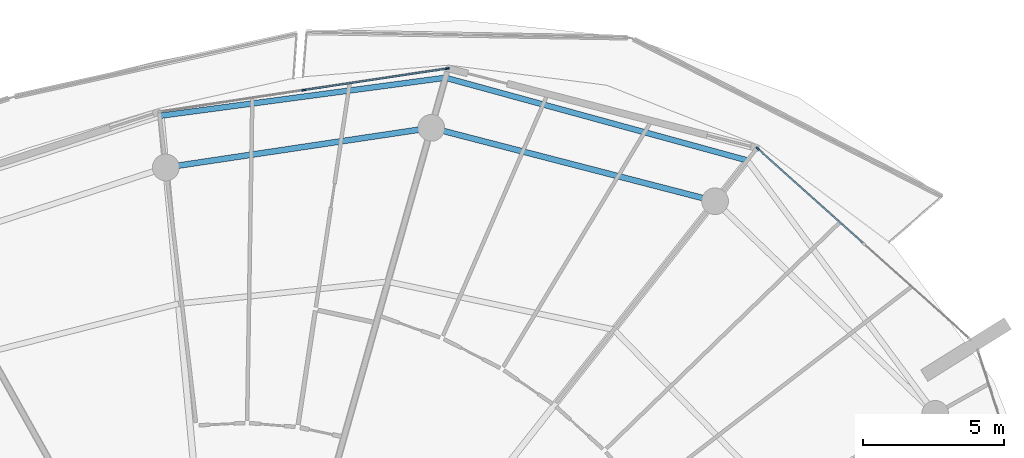
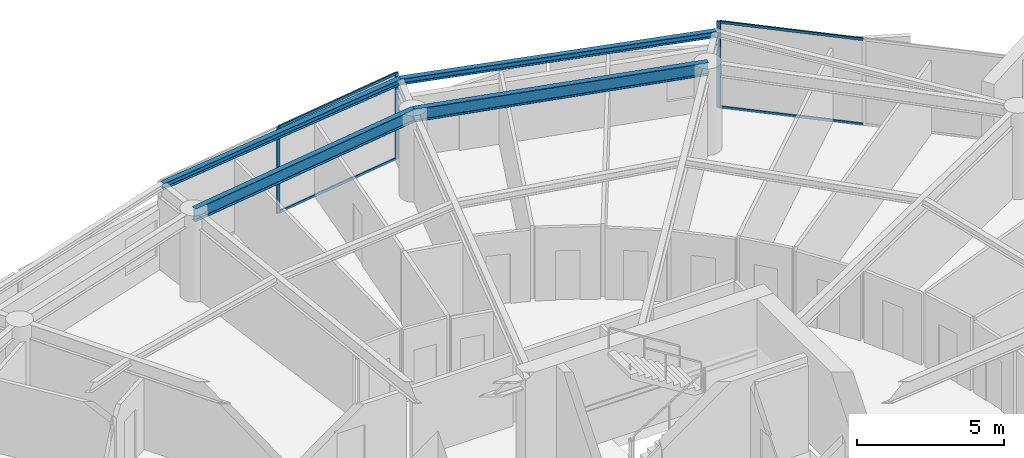
# One storey, part 16 of 30: 7 members, 4 beams, 2 elements without a shape of their own.
"""IFC4 building model written with IfcOpenShell, lengths in metres."""

from ifc_helpers import new_model, si_unit, direction, frame, origin, origin_2d, place, context, subcontext, project, spatial, rectangle, i_section, extrude, material, layer, layer_set, material_profile, profile_set, type_object, element, aggregate, save


model = new_model("IFC4")

# Units and contexts
model_context = context("Model", 3, precision=1e-05, world=origin(), true_north=direction((0.0, 1.0)))
body_context = subcontext(model_context, "Body", "Model", "MODEL_VIEW")
ifc_project = project(units=[si_unit("LENGTHUNIT", "METRE"), si_unit("AREAUNIT", "SQUARE_METRE"), si_unit("VOLUMEUNIT", "CUBIC_METRE"), si_unit("PLANEANGLEUNIT", "RADIAN"), si_unit("MASSUNIT", "GRAM", prefix="KILO")], contexts=[model_context])

# Site, building, storey
site_placement = place(None, origin())
site = spatial("IfcSite", under=ifc_project, at=site_placement, CompositionType="ELEMENT")
building_placement = place(site_placement, origin())
building = spatial("IfcBuilding", under=site, at=building_placement, Name="Kazma Halo Residences", CompositionType="ELEMENT")
storey_placement = place(building_placement, frame((0.0, 0.0, 236.699951171875)))
storey = spatial("IfcBuildingStorey", under=building, at=storey_placement, Name="L59", CompositionType="ELEMENT", Elevation=236.699951171875)

# Beams
ifc_material_1 = material(Name="Steel S355", Category="steel")
ifc_material_profile_1 = material_profile(ifc_material_1, i_section(OverallWidth=0.201904296875, OverallDepth=0.2470703125, WebThickness=0.00732421875, FlangeThickness=0.010986328125, FilletRadius=0.011962890625, at=origin_2d()), Name="W250x49.1")
ifc_profile_set_1 = profile_set([ifc_material_profile_1], Name="Steel S355")
beam_type_1 = type_object("IfcBeamType", Name="BM-BAL-CANT", PredefinedType="BEAM", material=ifc_profile_set_1)
beam_1_placement = place(storey_placement, frame((65.992431640625, 64.823486328125, 3.466552734375), z_axis=(-0.964514665976, 0.264029277006, 0.0), x_axis=(-0.264029277006, -0.964514665976, 0.0)))
element("IfcBeam", 1, at=beam_1_placement, inside=storey, type_object=beam_type_1, Name="L59 wave-balcony tie beam 02", PredefinedType="BEAM", context=body_context, shape_type="SweptSolid", body=[
    extrude(i_section(OverallWidth=0.201904296875, OverallDepth=0.2470703125, WebThickness=0.00732421875, FlangeThickness=0.010986328125, FilletRadius=0.011962890625, at=origin_2d()), origin(), (0.0, 0.0, 1.0), 11.1220703125),
])
beam_2_placement = place(storey_placement, frame((55.26513671875, 67.760009765625, 3.466552734375), z_axis=(-0.991234798397, -0.132111976922, 0.0), x_axis=(0.132111976922, -0.991234798397, 0.0)))
element("IfcBeam", 2, at=beam_2_placement, inside=storey, type_object=beam_type_1, Name="L59 wave-balcony tie beam 03", PredefinedType="BEAM", context=body_context, shape_type="SweptSolid", body=[
    extrude(i_section(OverallWidth=0.201904296875, OverallDepth=0.2470703125, WebThickness=0.00732421875, FlangeThickness=0.010986328125, FilletRadius=0.011962890625, at=origin_2d()), origin(), (0.0, 0.0, 1.0), 10.198974609375),
])
ifc_material_profile_2 = material_profile(ifc_material_1, i_section(OverallWidth=0.208984375, OverallDepth=0.532958984375, WebThickness=0.01025390625, FlangeThickness=0.015625, FilletRadius=0.01611328125, at=origin_2d()), Name="W530x92")
ifc_profile_set_2 = profile_set([ifc_material_profile_2], Name="Steel S355")
beam_type_2 = type_object("IfcBeamType", Name="BM-SPN-W530", PredefinedType="BEAM", material=ifc_profile_set_2)
beam_3_placement = place(storey_placement, frame((64.84716796875, 63.37060546875, 3.323486328125), z_axis=(-0.968126042852, 0.250463500639, 0.0), x_axis=(-0.250463500639, -0.968126042852, 0.0)))
element("IfcBeam", 3, at=beam_3_placement, inside=storey, type_object=beam_type_2, Name="L59 perimeter ring beam 02", PredefinedType="BEAM", context=body_context, shape_type="SweptSolid", body=[
    extrude(i_section(OverallWidth=0.208984375, OverallDepth=0.532958984375, WebThickness=0.01025390625, FlangeThickness=0.015625, FilletRadius=0.01611328125, at=origin_2d()), origin(), (0.0, 0.0, 1.0), 10.416259765625),
])
beam_4_placement = place(storey_placement, frame((54.762939453125, 65.9794921875, 3.323486328125), z_axis=(-0.989035441627, -0.147678350495, 0.0), x_axis=(0.147678350495, -0.989035441627, 0.0)))
element("IfcBeam", 4, at=beam_4_placement, inside=storey, type_object=beam_type_2, Name="L59 perimeter ring beam 03", PredefinedType="BEAM", context=body_context, shape_type="SweptSolid", body=[
    extrude(i_section(OverallWidth=0.208984375, OverallDepth=0.532958984375, WebThickness=0.01025390625, FlangeThickness=0.015625, FilletRadius=0.01611328125, at=origin_2d()), origin(), (0.0, 0.0, 1.0), 9.538818359375),
])

# Curtain wall, member
ifc_material_2 = material(Name="Aluminium AW-6063 T6 and Triple-Silver Low-E Glass", Category="aluminium")
ifc_layer = layer(ifc_material_2, 0.139892578125)
ifc_layer_set = layer_set([ifc_layer], Name="Aluminium AW-6063 T6 and Triple-Silver Low-E Glass")
curtain_wall_type = type_object("IfcCurtainWallType", Name="CW-SYS-5", PredefinedType="NOTDEFINED", material=ifc_layer_set)
curtain_wall_1_placement = place(storey_placement, origin())
curtain_wall_1 = element("IfcCurtainWall", 5, at=curtain_wall_1_placement, inside=storey, type_object=curtain_wall_type, Name="L59 unitised curtain wall B01", PredefinedType="NOTDEFINED")
ifc_material_3 = material(Name="Aluminium AW-6063 T6", Category="aluminium")
ifc_material_profile_3 = material_profile(ifc_material_3, rectangle(XDim=0.06005859375, YDim=0.139892578125, at=origin_2d()), Name="CWM-60x140")
ifc_profile_set_3 = profile_set([ifc_material_profile_3], Name="Aluminium AW-6063 T6")
member_type_1 = type_object("IfcMemberType", Name="CW-SYS-5-MUL", PredefinedType="MULLION", material=ifc_profile_set_3)
member_1_placement = place(storey_placement, frame((66.3603515625, 65.241455078125, 0.0), z_axis=(0.0, 0.0, 1.0), x_axis=(-0.667804826958, -0.744336424671, 0.0)))
member_1 = element("IfcMember", 6, at=member_1_placement, type_object=member_type_1, Name="CWS-5 mullion 3", PredefinedType="MULLION", context=body_context, shape_type="SweptSolid", body=[
    extrude(rectangle(XDim=0.06005859375, YDim=0.139892578125, at=origin_2d()), origin(), (0.0, 0.0, 1.0), 3.590087890625),
])

# Curtain wall, members
curtain_wall_2_placement = place(storey_placement, origin())
curtain_wall_2 = element("IfcCurtainWall", 7, at=curtain_wall_2_placement, inside=storey, type_object=curtain_wall_type, Name="L59 unitised curtain wall B03", PredefinedType="NOTDEFINED")
member_2_placement = place(storey_placement, frame((55.328857421875, 68.087158203125, 0.0), z_axis=(0.0, 0.0, 1.0), x_axis=(0.148697080374, -0.988882792998, 0.0)))
member_2 = element("IfcMember", 8, at=member_2_placement, type_object=member_type_1, Name="CWS-5 mullion 1", PredefinedType="MULLION", context=body_context, shape_type="SweptSolid", body=[
    extrude(rectangle(XDim=0.06005859375, YDim=0.139892578125, at=origin_2d()), origin(), (0.0, 0.0, 1.0), 3.590087890625),
])
member_3_placement = place(storey_placement, frame((50.2265625, 67.320068359375, 0.0), z_axis=(0.0, 0.0, 1.0), x_axis=(0.148697080374, -0.988882792998, 0.0)))
member_3 = element("IfcMember", 9, at=member_3_placement, type_object=member_type_1, Name="CWS-5 mullion 2", PredefinedType="MULLION", context=body_context, shape_type="SweptSolid", body=[
    extrude(rectangle(XDim=0.06005859375, YDim=0.139892578125, at=origin_2d()), origin(), (0.0, 0.0, 1.0), 3.590087890625),
])

# Member
ifc_material_profile_4 = material_profile(ifc_material_3, rectangle(XDim=0.06005859375, YDim=0.10498046875, at=origin_2d()), Name="CWT-60x105")
ifc_profile_set_4 = profile_set([ifc_material_profile_4], Name="Aluminium AW-6063 T6")
member_type_2 = type_object("IfcMemberType", Name="CW-SYS-5-TRN", PredefinedType="USERDEFINED", material=ifc_profile_set_4)
member_4_placement = place(storey_placement, frame((70.099609375, 61.88671875, 0.030029296875), z_axis=(-0.744350700793, 0.667788914425, 0.0), x_axis=(-0.667788914425, -0.744350700793, 0.0)))
member_4 = element("IfcMember", 10, at=member_4_placement, type_object=member_type_2, Name="CWS-5 transom 2.1", ObjectType="TRANSOM", PredefinedType="USERDEFINED", context=body_context, shape_type="SweptSolid", body=[
    extrude(rectangle(XDim=0.06005859375, YDim=0.10498046875, at=origin_2d()), origin(), (0.0, 0.0, 1.0), 4.99365234375),
])

member_5_placement = place(storey_placement, frame((70.099609375, 61.88671875, 3.56005859375), z_axis=(-0.744350700793, 0.667788914425, 0.0), x_axis=(-0.667788914425, -0.744350700793, 0.0)))
member_5 = element("IfcMember", 11, at=member_5_placement, type_object=member_type_2, Name="CWS-5 transom 2.2", ObjectType="TRANSOM", PredefinedType="USERDEFINED", context=body_context, shape_type="SweptSolid", body=[
    extrude(rectangle(XDim=0.06005859375, YDim=0.10498046875, at=origin_2d()), origin(), (0.0, 0.0, 1.0), 4.99365234375),
])

aggregate(curtain_wall_1, [member_1, member_4, member_5])

member_6_placement = place(storey_placement, frame((55.29931640625, 68.082763671875, 0.030029296875), z_axis=(-0.988883972013, -0.148689239341, 0.0), x_axis=(0.148689239341, -0.988883972013, 0.0)))
member_6 = element("IfcMember", 12, at=member_6_placement, type_object=member_type_2, Name="CWS-5 transom 1.1", ObjectType="TRANSOM", PredefinedType="USERDEFINED", context=body_context, shape_type="SweptSolid", body=[
    extrude(rectangle(XDim=0.06005859375, YDim=0.10498046875, at=origin_2d()), origin(), (0.0, 0.0, 1.0), 5.099853515625),
])

member_7_placement = place(storey_placement, frame((55.29931640625, 68.082763671875, 3.56005859375), z_axis=(-0.988883972013, -0.148689239341, 0.0), x_axis=(0.148689239341, -0.988883972013, 0.0)))
member_7 = element("IfcMember", 13, at=member_7_placement, type_object=member_type_2, Name="CWS-5 transom 1.2", ObjectType="TRANSOM", PredefinedType="USERDEFINED", context=body_context, shape_type="SweptSolid", body=[
    extrude(rectangle(XDim=0.06005859375, YDim=0.10498046875, at=origin_2d()), origin(), (0.0, 0.0, 1.0), 5.099853515625),
])

aggregate(curtain_wall_2, [member_2, member_3, member_6, member_7])

save(model, "model.ifc")
